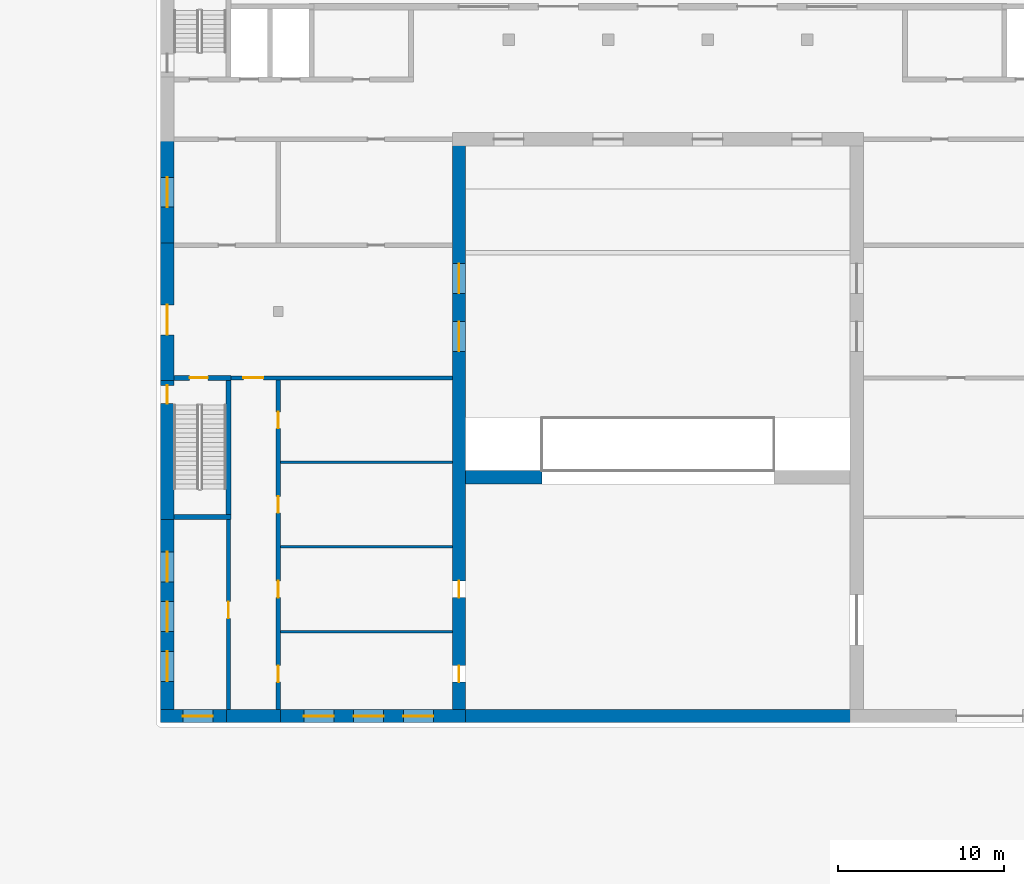
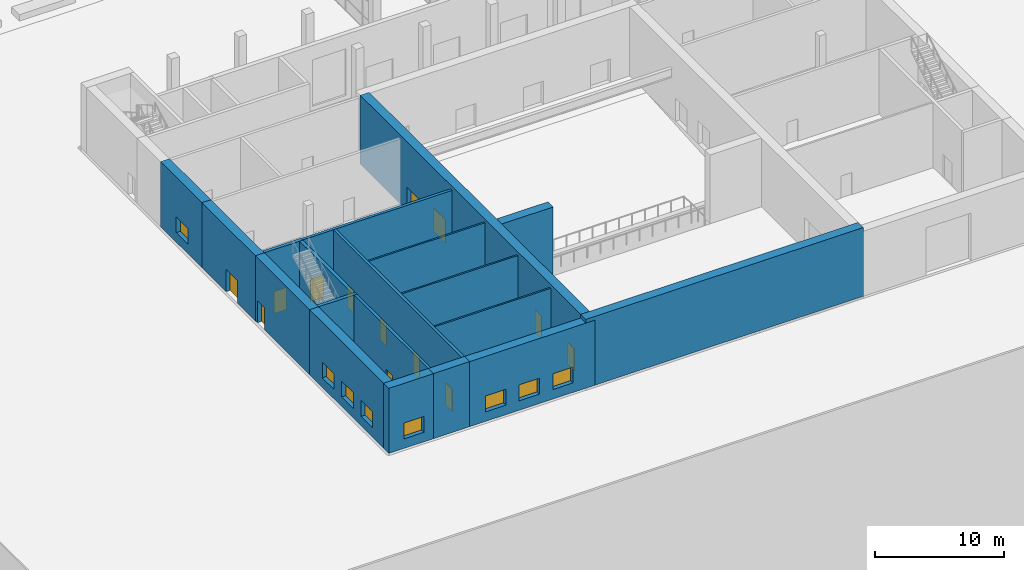
# One storey, part 29 of 51: 19 walls, 13 doors, 8 windows, 21 openings.
"""IFC4 building model written with IfcOpenShell, lengths in metres."""

from ifc_helpers import new_model, si_unit, direction, frame, frame_2d, origin, place, context, subcontext, project, spatial, rectangle, extrude, material, layer, layer_set, type_object, element, fill, save


model = new_model("IFC4")

# Units and contexts
model_context = context("Model", 3, precision=1e-05, world=origin(), true_north=direction((0.0, 1.0)))
body_context = subcontext(model_context, "Body", "Model", "MODEL_VIEW")
ifc_project = project(units=[si_unit("LENGTHUNIT", "METRE"), si_unit("AREAUNIT", "SQUARE_METRE"), si_unit("VOLUMEUNIT", "CUBIC_METRE"), si_unit("PLANEANGLEUNIT", "RADIAN"), si_unit("MASSUNIT", "GRAM", prefix="KILO")], contexts=[model_context])

# Site, building, storey
site_placement = place(None, origin())
site = spatial("IfcSite", under=ifc_project, at=site_placement, CompositionType="ELEMENT")
building_placement = place(site_placement, origin())
building = spatial("IfcBuilding", under=site, at=building_placement, Name="Kiln Ring Residences", CompositionType="ELEMENT")
storey_placement = place(building_placement, origin())
storey = spatial("IfcBuildingStorey", under=building, at=storey_placement, Name="L00", CompositionType="ELEMENT", Elevation=0.0)

# Walls
ifc_material_1 = material(Name="Concrete C40/50", Category="concrete")
ifc_layer_1 = layer(ifc_material_1, 0.800048828125)
ifc_layer_set_1 = layer_set([ifc_layer_1], Name="Hall Board-marked concrete C40/50 hall wall 800")
wall_type_1 = type_object("IfcWallType", Name="Hall Board-marked concrete C40/50 hall wall 800", PredefinedType="SOLIDWALL", material=ifc_layer_set_1)
wall_1_placement = place(storey_placement, frame((-12.39990234375, -159.60009765625, 0.0), z_axis=(0.0, 0.0, 1.0), x_axis=(1.0, 0.0, 0.0)))
element("IfcWall", 1, at=wall_1_placement, inside=storey, type_object=wall_type_1, Name="Hall wall L00 4", PredefinedType="SOLIDWALL", context=body_context, shape_type="SweptSolid", body=[
    extrude(rectangle(XDim=24.7998046875, YDim=0.800048828125, at=frame_2d((12.39990234375, 0.0))), origin(), (0.0, 0.0, 1.0), 6.5),
])
ifc_material_2 = material(Name="Concrete C40/50", Category="concrete")
ifc_layer_2 = layer(ifc_material_2, 0.800048828125)
ifc_layer_set_2 = layer_set([ifc_layer_2], Name="Hall Board-marked concrete C40/50 hall wall 800 internal")
wall_type_2 = type_object("IfcWallType", Name="Hall Board-marked concrete C40/50 hall wall 800 internal", PredefinedType="SOLIDWALL", material=ifc_layer_set_2)
wall_2_placement = place(storey_placement, frame((-11.60009765625, -145.199951171875, 0.0), z_axis=(0.0, 0.0, 1.0), x_axis=(1.0, 0.0, 0.0)))
element("IfcWall", 2, at=wall_2_placement, inside=storey, type_object=wall_type_2, Name="Hall proscenium pier L00 W", PredefinedType="SOLIDWALL", context=body_context, shape_type="SweptSolid", body=[
    extrude(rectangle(XDim=4.60009765625, YDim=0.800048828125, at=frame_2d((2.300048828125, 0.0))), origin(), (0.0, 0.0, 1.0), 6.5),
])

# Wall, openings, doors
wall_3_placement = place(storey_placement, frame((-12.0, -159.199951171875, 0.0), z_axis=(0.0, 0.0, 1.0), x_axis=(0.0, 1.0, 0.0)))
wall_3 = element("IfcWall", 3, at=wall_3_placement, inside=storey, type_object=wall_type_2, Name="Hall wall L00 44", PredefinedType="SOLIDWALL", context=body_context, shape_type="SweptSolid", body=[
    extrude(rectangle(XDim=34.125, YDim=0.800048828125, at=frame_2d((17.0625, 0.0))), origin(), (0.0, 0.0, 1.0), 6.5),
])
opening_1_placement = place(wall_3_placement, frame((21.60009765625, 0.0, 0.0)))
opening_1 = element("IfcOpeningElement", 4, at=opening_1_placement, cuts=wall_3, Name="Opening L00-29", PredefinedType="OPENING", context=body_context, shape_type="SweptSolid", body=[
    extrude(rectangle(XDim=1.800048828125, YDim=2.199951171875, at=frame_2d((0.89990234375, 1.10009765625))), frame((0.0, 0.409912109375, 0.0), z_axis=(0.0, -1.0, 0.0), x_axis=(1.0, 0.0, 0.0)), (0.0, 0.0, 1.0), 0.820068359375),
])
opening_2_placement = place(wall_3_placement, frame((25.10009765625, 0.0, 0.0)))
opening_2 = element("IfcOpeningElement", 5, at=opening_2_placement, cuts=wall_3, Name="Opening L00-30", PredefinedType="OPENING", context=body_context, shape_type="SweptSolid", body=[
    extrude(rectangle(XDim=1.800048828125, YDim=2.199951171875, at=frame_2d((0.89990234375, 1.10009765625))), frame((0.0, 0.409912109375, 0.0), z_axis=(0.0, -1.0, 0.0), x_axis=(1.0, 0.0, 0.0)), (0.0, 0.0, 1.0), 0.820068359375),
])
opening_3_placement = place(wall_3_placement, frame((6.75, 0.0, 0.0)))
opening_3 = element("IfcOpeningElement", 6, at=opening_3_placement, cuts=wall_3, Name="Opening L00-41", PredefinedType="OPENING", context=body_context, shape_type="SweptSolid", body=[
    extrude(rectangle(XDim=1.0, YDim=2.10009765625, at=frame_2d((0.5, 1.050048828125))), frame((0.0, 0.409912109375, 0.0), z_axis=(0.0, -1.0, 0.0), x_axis=(1.0, 0.0, 0.0)), (0.0, 0.0, 1.0), 0.820068359375),
])
opening_4_placement = place(wall_3_placement, frame((1.64990234375, 0.0, 0.0)))
opening_4 = element("IfcOpeningElement", 7, at=opening_4_placement, cuts=wall_3, Name="Opening L00-42", PredefinedType="OPENING", context=body_context, shape_type="SweptSolid", body=[
    extrude(rectangle(XDim=1.0, YDim=2.10009765625, at=frame_2d((0.5, 1.050048828125))), frame((0.0, 0.409912109375, 0.0), z_axis=(0.0, -1.0, 0.0), x_axis=(1.0, 0.0, 0.0)), (0.0, 0.0, 1.0), 0.820068359375),
])
ifc_material_3 = material(Name="Steel door leaf", Category="steel")
door_type_1 = type_object("IfcDoorType", Name="Hall Auditorium double door 1800 x 2200", OperationType="DOUBLE_DOOR_SINGLE_SWING", PredefinedType="DOOR", material=ifc_material_3)
door_1_placement = place(opening_1_placement, origin())
door_1 = element("IfcDoor", 8, at=door_1_placement, inside=storey, type_object=door_type_1, Name="Hall door L00-29", OperationType="DOUBLE_DOOR_SINGLE_SWING", OverallHeight=2.199951171875, OverallWidth=1.800048828125, PredefinedType="DOOR", context=body_context, shape_type="SweptSolid", body=[
    extrude(rectangle(XDim=1.800048828125, YDim=2.199951171875, at=frame_2d((0.89990234375, 1.10009765625))), frame((0.0, 0.02490234375, 0.0), z_axis=(0.0, -1.0, 0.0), x_axis=(1.0, 0.0, 0.0)), (0.0, 0.0, 1.0), 0.050048828125),
])
fill(opening_1, door_1)
door_2_placement = place(opening_2_placement, origin())
door_2 = element("IfcDoor", 9, at=door_2_placement, inside=storey, type_object=door_type_1, Name="Hall door L00-30", OperationType="DOUBLE_DOOR_SINGLE_SWING", OverallHeight=2.199951171875, OverallWidth=1.800048828125, PredefinedType="DOOR", context=body_context, shape_type="SweptSolid", body=[
    extrude(rectangle(XDim=1.800048828125, YDim=2.199951171875, at=frame_2d((0.89990234375, 1.10009765625))), frame((0.0, 0.02490234375, 0.0), z_axis=(0.0, -1.0, 0.0), x_axis=(1.0, 0.0, 0.0)), (0.0, 0.0, 1.0), 0.050048828125),
])
fill(opening_2, door_2)
ifc_material_4 = material(Name="Steel door leaf", Category="steel")
door_type_2 = type_object("IfcDoorType", Name="Hall Single door 1000 x 2100", OperationType="SINGLE_SWING_LEFT", PredefinedType="DOOR", material=ifc_material_4)
door_3_placement = place(opening_3_placement, origin())
door_3 = element("IfcDoor", 10, at=door_3_placement, inside=storey, type_object=door_type_2, Name="Hall door L00-41", OperationType="SINGLE_SWING_LEFT", OverallHeight=2.10009765625, OverallWidth=1.0, PredefinedType="DOOR", context=body_context, shape_type="SweptSolid", body=[
    extrude(rectangle(XDim=1.0, YDim=2.10009765625, at=frame_2d((0.5, 1.050048828125))), frame((0.0, 0.02490234375, 0.0), z_axis=(0.0, -1.0, 0.0), x_axis=(1.0, 0.0, 0.0)), (0.0, 0.0, 1.0), 0.050048828125),
])
fill(opening_3, door_3)
door_4_placement = place(opening_4_placement, origin())
door_4 = element("IfcDoor", 11, at=door_4_placement, inside=storey, type_object=door_type_2, Name="Hall door L00-42", OperationType="SINGLE_SWING_RIGHT", OverallHeight=2.10009765625, OverallWidth=1.0, PredefinedType="DOOR", context=body_context, shape_type="SweptSolid", body=[
    extrude(rectangle(XDim=1.0, YDim=2.10009765625, at=frame_2d((0.5, 1.050048828125))), frame((0.0, 0.02490234375, 0.0), z_axis=(0.0, -1.0, 0.0), x_axis=(1.0, 0.0, 0.0)), (0.0, 0.0, 1.0), 0.050048828125),
])
fill(opening_4, door_4)

# Wall, opening, window
ifc_material_5 = material(Name="Concrete C40/50", Category="concrete")
ifc_layer_3 = layer(ifc_material_5, 0.800048828125)
ifc_layer_set_3 = layer_set([ifc_layer_3], Name="Hall Exposed brick-faced reinforced concrete C40/50 wall 800")
wall_type_3 = type_object("IfcWallType", Name="Hall Exposed brick-faced reinforced concrete C40/50 wall 800", PredefinedType="SOLIDWALL", material=ifc_layer_set_3)
wall_4_placement = place(storey_placement, frame((-30.0, -159.60009765625, 0.0), z_axis=(0.0, 0.0, 1.0), x_axis=(1.0, 0.0, 0.0)))
wall_4 = element("IfcWall", 12, at=wall_4_placement, inside=storey, type_object=wall_type_3, Name="Hall wall L00 1", PredefinedType="SOLIDWALL", context=body_context, shape_type="SweptSolid", body=[
    extrude(rectangle(XDim=4.224853515625, YDim=0.800048828125, at=frame_2d((2.1123046875, 0.0))), origin(), (0.0, 0.0, 1.0), 6.14990234375),
])
opening_5_placement = place(wall_4_placement, frame((1.349853515625, 0.0, 0.89990234375)))
opening_5 = element("IfcOpeningElement", 13, at=opening_5_placement, cuts=wall_4, Name="Opening WL00-07", PredefinedType="OPENING", context=body_context, shape_type="SweptSolid", body=[
    extrude(rectangle(XDim=1.800048828125, YDim=1.5, at=frame_2d((0.89990234375, 0.75))), frame((0.0, 0.409912109375, 0.0), z_axis=(0.0, -1.0, 0.0), x_axis=(1.0, 0.0, 0.0)), (0.0, 0.0, 1.0), 0.820068359375),
])
ifc_material_6 = material(Name="Glazing in aluminium frame", Category="aluminium")
window_type = type_object("IfcWindowType", Name="Hall room window 1800 x 1500", PartitioningType="DOUBLE_PANEL_VERTICAL", PredefinedType="WINDOW", material=ifc_material_6)
window_1_placement = place(opening_5_placement, origin())
window_1 = element("IfcWindow", 14, at=window_1_placement, inside=storey, type_object=window_type, Name="Hall window L00-07", OverallHeight=1.5, OverallWidth=1.800048828125, PartitioningType="SINGLE_PANEL", PredefinedType="WINDOW", context=body_context, shape_type="SweptSolid", body=[
    extrude(rectangle(XDim=1.800048828125, YDim=1.5, at=frame_2d((0.89990234375, 0.75))), frame((0.0, 0.030029296875, 0.0), z_axis=(0.0, -1.0, 0.0), x_axis=(1.0, 0.0, 0.0)), (0.0, 0.0, 1.0), 0.06005859375),
])
fill(opening_5, window_1)

# Wall
wall_5_placement = place(storey_placement, frame((-26.02490234375, -159.60009765625, 0.0), z_axis=(0.0, 0.0, 1.0), x_axis=(1.0, 0.0, 0.0)))
element("IfcWall", 15, at=wall_5_placement, inside=storey, type_object=wall_type_3, Name="Hall wall L00 2", PredefinedType="SOLIDWALL", context=body_context, shape_type="SweptSolid", body=[
    extrude(rectangle(XDim=3.249755859375, YDim=0.800048828125, at=frame_2d((1.625, 0.0))), origin(), (0.0, 0.0, 1.0), 6.14990234375),
])

# Wall, openings, windows
wall_6_placement = place(storey_placement, frame((-23.02490234375, -159.60009765625, 0.0), z_axis=(0.0, 0.0, 1.0), x_axis=(1.0, 0.0, 0.0)))
wall_6 = element("IfcWall", 16, at=wall_6_placement, inside=storey, type_object=wall_type_3, Name="Hall wall L00 3", PredefinedType="SOLIDWALL", context=body_context, shape_type="SweptSolid", body=[
    extrude(rectangle(XDim=11.4248046875, YDim=0.800048828125, at=frame_2d((5.71240234375, 0.0))), origin(), (0.0, 0.0, 1.0), 6.14990234375),
])
opening_6_placement = place(wall_6_placement, frame((1.6748046875, 0.0, 0.89990234375)))
opening_6 = element("IfcOpeningElement", 17, at=opening_6_placement, cuts=wall_6, Name="Opening WL00-08", PredefinedType="OPENING", context=body_context, shape_type="SweptSolid", body=[
    extrude(rectangle(XDim=1.800048828125, YDim=1.5, at=frame_2d((0.89990234375, 0.75))), frame((0.0, 0.409912109375, 0.0), z_axis=(0.0, -1.0, 0.0), x_axis=(1.0, 0.0, 0.0)), (0.0, 0.0, 1.0), 0.820068359375),
])
opening_7_placement = place(wall_6_placement, frame((4.6748046875, 0.0, 0.89990234375)))
opening_7 = element("IfcOpeningElement", 18, at=opening_7_placement, cuts=wall_6, Name="Opening WL00-09", PredefinedType="OPENING", context=body_context, shape_type="SweptSolid", body=[
    extrude(rectangle(XDim=1.800048828125, YDim=1.5, at=frame_2d((0.89990234375, 0.75))), frame((0.0, 0.409912109375, 0.0), z_axis=(0.0, -1.0, 0.0), x_axis=(1.0, 0.0, 0.0)), (0.0, 0.0, 1.0), 0.820068359375),
])
opening_8_placement = place(wall_6_placement, frame((7.6748046875, 0.0, 0.89990234375)))
opening_8 = element("IfcOpeningElement", 19, at=opening_8_placement, cuts=wall_6, Name="Opening WL00-10", PredefinedType="OPENING", context=body_context, shape_type="SweptSolid", body=[
    extrude(rectangle(XDim=1.800048828125, YDim=1.5, at=frame_2d((0.89990234375, 0.75))), frame((0.0, 0.409912109375, 0.0), z_axis=(0.0, -1.0, 0.0), x_axis=(1.0, 0.0, 0.0)), (0.0, 0.0, 1.0), 0.820068359375),
])
window_2_placement = place(opening_6_placement, origin())
window_2 = element("IfcWindow", 20, at=window_2_placement, inside=storey, type_object=window_type, Name="Hall window L00-08", OverallHeight=1.5, OverallWidth=1.800048828125, PartitioningType="SINGLE_PANEL", PredefinedType="WINDOW", context=body_context, shape_type="SweptSolid", body=[
    extrude(rectangle(XDim=1.800048828125, YDim=1.5, at=frame_2d((0.89990234375, 0.75))), frame((0.0, 0.030029296875, 0.0), z_axis=(0.0, -1.0, 0.0), x_axis=(1.0, 0.0, 0.0)), (0.0, 0.0, 1.0), 0.06005859375),
])
fill(opening_6, window_2)
window_3_placement = place(opening_7_placement, origin())
window_3 = element("IfcWindow", 21, at=window_3_placement, inside=storey, type_object=window_type, Name="Hall window L00-09", OverallHeight=1.5, OverallWidth=1.800048828125, PartitioningType="SINGLE_PANEL", PredefinedType="WINDOW", context=body_context, shape_type="SweptSolid", body=[
    extrude(rectangle(XDim=1.800048828125, YDim=1.5, at=frame_2d((0.89990234375, 0.75))), frame((0.0, 0.030029296875, 0.0), z_axis=(0.0, -1.0, 0.0), x_axis=(1.0, 0.0, 0.0)), (0.0, 0.0, 1.0), 0.06005859375),
])
fill(opening_7, window_3)
window_4_placement = place(opening_8_placement, origin())
window_4 = element("IfcWindow", 22, at=window_4_placement, inside=storey, type_object=window_type, Name="Hall window L00-10", OverallHeight=1.5, OverallWidth=1.800048828125, PartitioningType="SINGLE_PANEL", PredefinedType="WINDOW", context=body_context, shape_type="SweptSolid", body=[
    extrude(rectangle(XDim=1.800048828125, YDim=1.5, at=frame_2d((0.89990234375, 0.75))), frame((0.0, 0.030029296875, 0.0), z_axis=(0.0, -1.0, 0.0), x_axis=(1.0, 0.0, 0.0)), (0.0, 0.0, 1.0), 0.06005859375),
])
fill(opening_8, window_4)

wall_7_placement = place(storey_placement, frame((-29.60009765625, -159.199951171875, 0.0), z_axis=(0.0, 0.0, 1.0), x_axis=(0.0, 1.0, 0.0)))
wall_7 = element("IfcWall", 23, at=wall_7_placement, inside=storey, type_object=wall_type_3, Name="Hall wall L00 30", PredefinedType="SOLIDWALL", context=body_context, shape_type="SweptSolid", body=[
    extrude(rectangle(XDim=11.749755859375, YDim=0.800048828125, at=frame_2d((5.875, 0.0))), origin(), (0.0, 0.0, 1.0), 6.14990234375),
])
opening_9_placement = place(wall_7_placement, frame((1.699951171875, 0.0, 0.89990234375)))
opening_9 = element("IfcOpeningElement", 24, at=opening_9_placement, cuts=wall_7, Name="Opening WL00-04", PredefinedType="OPENING", context=body_context, shape_type="SweptSolid", body=[
    extrude(rectangle(XDim=1.800048828125, YDim=1.5, at=frame_2d((0.89990234375, 0.75))), frame((0.0, 0.409912109375, 0.0), z_axis=(0.0, -1.0, 0.0), x_axis=(1.0, 0.0, 0.0)), (0.0, 0.0, 1.0), 0.820068359375),
])
opening_10_placement = place(wall_7_placement, frame((4.699951171875, 0.0, 0.89990234375)))
opening_10 = element("IfcOpeningElement", 25, at=opening_10_placement, cuts=wall_7, Name="Opening WL00-05", PredefinedType="OPENING", context=body_context, shape_type="SweptSolid", body=[
    extrude(rectangle(XDim=1.800048828125, YDim=1.5, at=frame_2d((0.89990234375, 0.75))), frame((0.0, 0.409912109375, 0.0), z_axis=(0.0, -1.0, 0.0), x_axis=(1.0, 0.0, 0.0)), (0.0, 0.0, 1.0), 0.820068359375),
])
opening_11_placement = place(wall_7_placement, frame((7.699951171875, 0.0, 0.89990234375)))
opening_11 = element("IfcOpeningElement", 26, at=opening_11_placement, cuts=wall_7, Name="Opening WL00-06", PredefinedType="OPENING", context=body_context, shape_type="SweptSolid", body=[
    extrude(rectangle(XDim=1.800048828125, YDim=1.5, at=frame_2d((0.89990234375, 0.75))), frame((0.0, 0.409912109375, 0.0), z_axis=(0.0, -1.0, 0.0), x_axis=(1.0, 0.0, 0.0)), (0.0, 0.0, 1.0), 0.820068359375),
])
window_5_placement = place(opening_9_placement, origin())
window_5 = element("IfcWindow", 27, at=window_5_placement, inside=storey, type_object=window_type, Name="Hall window L00-04", OverallHeight=1.5, OverallWidth=1.800048828125, PartitioningType="SINGLE_PANEL", PredefinedType="WINDOW", context=body_context, shape_type="SweptSolid", body=[
    extrude(rectangle(XDim=1.800048828125, YDim=1.5, at=frame_2d((0.89990234375, 0.75))), frame((0.0, 0.030029296875, 0.0), z_axis=(0.0, -1.0, 0.0), x_axis=(1.0, 0.0, 0.0)), (0.0, 0.0, 1.0), 0.06005859375),
])
fill(opening_9, window_5)
window_6_placement = place(opening_10_placement, origin())
window_6 = element("IfcWindow", 28, at=window_6_placement, inside=storey, type_object=window_type, Name="Hall window L00-05", OverallHeight=1.5, OverallWidth=1.800048828125, PartitioningType="SINGLE_PANEL", PredefinedType="WINDOW", context=body_context, shape_type="SweptSolid", body=[
    extrude(rectangle(XDim=1.800048828125, YDim=1.5, at=frame_2d((0.89990234375, 0.75))), frame((0.0, 0.030029296875, 0.0), z_axis=(0.0, -1.0, 0.0), x_axis=(1.0, 0.0, 0.0)), (0.0, 0.0, 1.0), 0.06005859375),
])
fill(opening_10, window_6)
window_7_placement = place(opening_11_placement, origin())
window_7 = element("IfcWindow", 29, at=window_7_placement, inside=storey, type_object=window_type, Name="Hall window L00-06", OverallHeight=1.5, OverallWidth=1.800048828125, PartitioningType="SINGLE_PANEL", PredefinedType="WINDOW", context=body_context, shape_type="SweptSolid", body=[
    extrude(rectangle(XDim=1.800048828125, YDim=1.5, at=frame_2d((0.89990234375, 0.75))), frame((0.0, 0.030029296875, 0.0), z_axis=(0.0, -1.0, 0.0), x_axis=(1.0, 0.0, 0.0)), (0.0, 0.0, 1.0), 0.06005859375),
])
fill(opening_11, window_7)

# Wall, opening, door
wall_8_placement = place(storey_placement, frame((-29.60009765625, -147.75, 0.0), z_axis=(0.0, 0.0, 1.0), x_axis=(0.0, 1.0, 0.0)))
wall_8 = element("IfcWall", 30, at=wall_8_placement, inside=storey, type_object=wall_type_3, Name="Hall wall L00 31", PredefinedType="SOLIDWALL", context=body_context, shape_type="SweptSolid", body=[
    extrude(rectangle(XDim=8.699951171875, YDim=0.800048828125, at=frame_2d((4.35009765625, 0.0))), origin(), (0.0, 0.0, 1.0), 6.14990234375),
])
opening_12_placement = place(wall_8_placement, frame((6.999755859375, 0.0, 0.0)))
opening_12 = element("IfcOpeningElement", 31, at=opening_12_placement, cuts=wall_8, Name="Opening L00-21", PredefinedType="OPENING", context=body_context, shape_type="SweptSolid", body=[
    extrude(rectangle(XDim=1.10009765625, YDim=2.10009765625, at=frame_2d((0.550048828125, 1.050048828125))), frame((0.0, 0.409912109375, 0.0), z_axis=(0.0, -1.0, 0.0), x_axis=(1.0, 0.0, 0.0)), (0.0, 0.0, 1.0), 0.820068359375),
])
ifc_material_7 = material(Name="Aluminium framed glazed door", Category="aluminium")
door_type_3 = type_object("IfcDoorType", Name="Hall Exit door 1100 x 2100", OperationType="SINGLE_SWING_LEFT", PredefinedType="DOOR", material=ifc_material_7)
door_5_placement = place(opening_12_placement, origin())
door_5 = element("IfcDoor", 32, at=door_5_placement, inside=storey, type_object=door_type_3, Name="Hall door L00-21", OperationType="SINGLE_SWING_LEFT", OverallHeight=2.10009765625, OverallWidth=1.10009765625, PredefinedType="DOOR", context=body_context, shape_type="SweptSolid", body=[
    extrude(rectangle(XDim=1.10009765625, YDim=2.10009765625, at=frame_2d((0.550048828125, 1.050048828125))), frame((0.0, 0.02490234375, 0.0), z_axis=(0.0, -1.0, 0.0), x_axis=(1.0, 0.0, 0.0)), (0.0, 0.0, 1.0), 0.050048828125),
])
fill(opening_12, door_5)

wall_9_placement = place(storey_placement, frame((-29.60009765625, -139.349853515625, 0.0), z_axis=(0.0, 0.0, 1.0), x_axis=(0.0, 1.0, 0.0)))
wall_9 = element("IfcWall", 33, at=wall_9_placement, inside=storey, type_object=wall_type_3, Name="Hall wall L00 32", PredefinedType="SOLIDWALL", context=body_context, shape_type="SweptSolid", body=[
    extrude(rectangle(XDim=8.274658203125, YDim=0.800048828125, at=frame_2d((4.13720703125, 0.0))), origin(), (0.0, 0.0, 1.0), 6.14990234375),
])
opening_13_placement = place(wall_9_placement, frame((2.75, 0.0, 0.0)))
opening_13 = element("IfcOpeningElement", 34, at=opening_13_placement, cuts=wall_9, Name="Opening L00-33", PredefinedType="OPENING", context=body_context, shape_type="SweptSolid", body=[
    extrude(rectangle(XDim=1.800048828125, YDim=2.10009765625, at=frame_2d((0.89990234375, 1.050048828125))), frame((0.0, 0.409912109375, 0.0), z_axis=(0.0, -1.0, 0.0), x_axis=(1.0, 0.0, 0.0)), (0.0, 0.0, 1.0), 0.820068359375),
])
ifc_material_8 = material(Name="Aluminium framed glazed door", Category="aluminium")
door_type_4 = type_object("IfcDoorType", Name="Hall Exit double door 1800 x 2100", OperationType="DOUBLE_DOOR_SINGLE_SWING", PredefinedType="DOOR", material=ifc_material_8)
door_6_placement = place(opening_13_placement, origin())
door_6 = element("IfcDoor", 35, at=door_6_placement, inside=storey, type_object=door_type_4, Name="Hall door L00-33", OperationType="DOUBLE_DOOR_SINGLE_SWING", OverallHeight=2.10009765625, OverallWidth=1.800048828125, PredefinedType="DOOR", context=body_context, shape_type="SweptSolid", body=[
    extrude(rectangle(XDim=1.800048828125, YDim=2.10009765625, at=frame_2d((0.89990234375, 1.050048828125))), frame((0.0, 0.02490234375, 0.0), z_axis=(0.0, -1.0, 0.0), x_axis=(1.0, 0.0, 0.0)), (0.0, 0.0, 1.0), 0.050048828125),
])
fill(opening_13, door_6)

# Wall, opening, window
wall_10_placement = place(storey_placement, frame((-29.60009765625, -131.324951171875, 0.0), z_axis=(0.0, 0.0, 1.0), x_axis=(0.0, 1.0, 0.0)))
wall_10 = element("IfcWall", 36, at=wall_10_placement, inside=storey, type_object=wall_type_3, Name="Hall wall L00 33", PredefinedType="SOLIDWALL", context=body_context, shape_type="SweptSolid", body=[
    extrude(rectangle(XDim=6.64990234375, YDim=0.800048828125, at=frame_2d((3.324951171875, 0.0))), origin(), (0.0, 0.0, 1.0), 6.14990234375),
])
opening_14_placement = place(wall_10_placement, frame((2.4248046875, 0.0, 0.89990234375)))
opening_14 = element("IfcOpeningElement", 37, at=opening_14_placement, cuts=wall_10, Name="Opening WL00-03", PredefinedType="OPENING", context=body_context, shape_type="SweptSolid", body=[
    extrude(rectangle(XDim=1.800048828125, YDim=1.5, at=frame_2d((0.89990234375, 0.75))), frame((0.0, 0.409912109375, 0.0), z_axis=(0.0, -1.0, 0.0), x_axis=(1.0, 0.0, 0.0)), (0.0, 0.0, 1.0), 0.820068359375),
])
window_8_placement = place(opening_14_placement, origin())
window_8 = element("IfcWindow", 38, at=window_8_placement, inside=storey, type_object=window_type, Name="Hall window L00-03", OverallHeight=1.5, OverallWidth=1.800048828125, PartitioningType="SINGLE_PANEL", PredefinedType="WINDOW", context=body_context, shape_type="SweptSolid", body=[
    extrude(rectangle(XDim=1.800048828125, YDim=1.5, at=frame_2d((0.89990234375, 0.75))), frame((0.0, 0.030029296875, 0.0), z_axis=(0.0, -1.0, 0.0), x_axis=(1.0, 0.0, 0.0)), (0.0, 0.0, 1.0), 0.06005859375),
])
fill(opening_14, window_8)

# Wall
ifc_material_9 = material(Name="Concrete C40/50", Category="concrete")
ifc_layer_4 = layer(ifc_material_9, 0.300048828125)
ifc_layer_set_4 = layer_set([ifc_layer_4], Name="Hall Reinforced concrete C40/50 core wall 300")
wall_type_4 = type_object("IfcWallType", Name="Hall Reinforced concrete C40/50 core wall 300", PredefinedType="SOLIDWALL", material=ifc_layer_set_4)
wall_11_placement = place(storey_placement, frame((-29.199951171875, -147.60009765625, 0.0), z_axis=(0.0, 0.0, 1.0), x_axis=(1.0, 0.0, 0.0)))
element("IfcWall", 39, at=wall_11_placement, inside=storey, type_object=wall_type_4, Name="Hall wall L00 9", PredefinedType="SOLIDWALL", context=body_context, shape_type="SweptSolid", body=[
    extrude(rectangle(XDim=3.449951171875, YDim=0.300048828125, at=frame_2d((1.72509765625, 0.0))), origin(), (0.0, 0.0, 1.0), 6.14990234375),
])

# Wall, opening, door
wall_12_placement = place(storey_placement, frame((-29.199951171875, -139.199951171875, 0.0), z_axis=(0.0, 0.0, 1.0), x_axis=(1.0, 0.0, 0.0)))
wall_12 = element("IfcWall", 40, at=wall_12_placement, inside=storey, type_object=wall_type_4, Name="Hall wall L00 14", PredefinedType="SOLIDWALL", context=body_context, shape_type="SweptSolid", body=[
    extrude(rectangle(XDim=3.449951171875, YDim=0.300048828125, at=frame_2d((1.72509765625, 0.0))), origin(), (0.0, 0.0, 1.0), 6.14990234375),
])
opening_15_placement = place(wall_12_placement, frame((0.949951171875, 0.0, 0.0)))
opening_15 = element("IfcOpeningElement", 41, at=opening_15_placement, cuts=wall_12, Name="Opening L00-08", PredefinedType="OPENING", context=body_context, shape_type="SweptSolid", body=[
    extrude(rectangle(XDim=1.10009765625, YDim=2.10009765625, at=frame_2d((0.550048828125, 1.050048828125))), frame((0.0, 0.159912109375, 0.0), z_axis=(0.0, -1.0, 0.0), x_axis=(1.0, 0.0, 0.0)), (0.0, 0.0, 1.0), 0.320068359375),
])
ifc_material_10 = material(Name="Steel door leaf", Category="steel")
door_type_5 = type_object("IfcDoorType", Name="Hall Stair door 1100 x 2100", OperationType="SINGLE_SWING_LEFT", PredefinedType="DOOR", material=ifc_material_10)
door_7_placement = place(opening_15_placement, origin())
door_7 = element("IfcDoor", 42, at=door_7_placement, inside=storey, type_object=door_type_5, Name="Hall door L00-08", OperationType="SINGLE_SWING_RIGHT", OverallHeight=2.10009765625, OverallWidth=1.10009765625, PredefinedType="DOOR", context=body_context, shape_type="SweptSolid", body=[
    extrude(rectangle(XDim=1.10009765625, YDim=2.10009765625, at=frame_2d((0.550048828125, 1.050048828125))), frame((0.0, 0.02490234375, 0.0), z_axis=(0.0, -1.0, 0.0), x_axis=(1.0, 0.0, 0.0)), (0.0, 0.0, 1.0), 0.050048828125),
])
fill(opening_15, door_7)

# Wall
wall_13_placement = place(storey_placement, frame((-25.89990234375, -147.449951171875, 0.0), z_axis=(0.0, 0.0, 1.0), x_axis=(0.0, 1.0, 0.0)))
element("IfcWall", 43, at=wall_13_placement, inside=storey, type_object=wall_type_4, Name="Hall wall L00 37", PredefinedType="SOLIDWALL", context=body_context, shape_type="SweptSolid", body=[
    extrude(rectangle(XDim=8.224853515625, YDim=0.300048828125, at=frame_2d((4.1123046875, 0.0))), origin(), (0.0, 0.0, 1.0), 6.14990234375),
])

# Wall, opening, door
ifc_material_11 = material(Name="Concrete C40/50", Category="concrete")
ifc_layer_5 = layer(ifc_material_11, 0.25)
ifc_layer_set_5 = layer_set([ifc_layer_5], Name="Hall Reinforced concrete C40/50 wall 250")
wall_type_5 = type_object("IfcWallType", Name="Hall Reinforced concrete C40/50 wall 250", PredefinedType="SOLIDWALL", material=ifc_layer_set_5)
wall_14_placement = place(storey_placement, frame((-25.75, -139.199951171875, 0.0), z_axis=(0.0, 0.0, 1.0), x_axis=(1.0, 0.0, 0.0)))
wall_14 = element("IfcWall", 44, at=wall_14_placement, inside=storey, type_object=wall_type_5, Name="Hall wall L00 15", PredefinedType="SOLIDWALL", context=body_context, shape_type="SweptSolid", body=[
    extrude(rectangle(XDim=13.35009765625, YDim=0.25, at=frame_2d((6.675048828125, 0.0))), origin(), (0.0, 0.0, 1.0), 6.14990234375),
])
opening_16_placement = place(wall_14_placement, frame((0.75, 0.0, 0.0)))
opening_16 = element("IfcOpeningElement", 45, at=opening_16_placement, cuts=wall_14, Name="Opening L00-35", PredefinedType="OPENING", context=body_context, shape_type="SweptSolid", body=[
    extrude(rectangle(XDim=1.199951171875, YDim=2.10009765625, at=frame_2d((0.60009765625, 1.050048828125))), frame((0.0, 0.135009765625, 0.0), z_axis=(0.0, -1.0, 0.0), x_axis=(1.0, 0.0, 0.0)), (0.0, 0.0, 1.0), 0.27001953125),
])
ifc_material_12 = material(Name="Steel door leaf", Category="steel")
door_type_6 = type_object("IfcDoorType", Name="Hall Single door 1200 x 2100", OperationType="SINGLE_SWING_LEFT", PredefinedType="DOOR", material=ifc_material_12)
door_8_placement = place(opening_16_placement, origin())
door_8 = element("IfcDoor", 46, at=door_8_placement, inside=storey, type_object=door_type_6, Name="Hall door L00-35", OperationType="SINGLE_SWING_LEFT", OverallHeight=2.10009765625, OverallWidth=1.199951171875, PredefinedType="DOOR", context=body_context, shape_type="SweptSolid", body=[
    extrude(rectangle(XDim=1.199951171875, YDim=2.10009765625, at=frame_2d((0.60009765625, 1.050048828125))), frame((0.0, 0.02490234375, 0.0), z_axis=(0.0, -1.0, 0.0), x_axis=(1.0, 0.0, 0.0)), (0.0, 0.0, 1.0), 0.050048828125),
])
fill(opening_16, door_8)

wall_15_placement = place(storey_placement, frame((-25.89990234375, -159.199951171875, 0.0), z_axis=(0.0, 0.0, 1.0), x_axis=(0.0, 1.0, 0.0)))
wall_15 = element("IfcWall", 47, at=wall_15_placement, inside=storey, type_object=wall_type_5, Name="Hall wall L00 36", PredefinedType="SOLIDWALL", context=body_context, shape_type="SweptSolid", body=[
    extrude(rectangle(XDim=11.449951171875, YDim=0.25, at=frame_2d((5.72509765625, 0.0))), origin(), (0.0, 0.0, 1.0), 6.14990234375),
])
opening_17_placement = place(wall_15_placement, frame((5.5, 0.0, 0.0)))
opening_17 = element("IfcOpeningElement", 48, at=opening_17_placement, cuts=wall_15, Name="Opening L00-40", PredefinedType="OPENING", context=body_context, shape_type="SweptSolid", body=[
    extrude(rectangle(XDim=1.0, YDim=2.10009765625, at=frame_2d((0.5, 1.050048828125))), frame((0.0, 0.135009765625, 0.0), z_axis=(0.0, -1.0, 0.0), x_axis=(1.0, 0.0, 0.0)), (0.0, 0.0, 1.0), 0.27001953125),
])
door_9_placement = place(opening_17_placement, origin())
door_9 = element("IfcDoor", 49, at=door_9_placement, inside=storey, type_object=door_type_2, Name="Hall door L00-40", OperationType="SINGLE_SWING_RIGHT", OverallHeight=2.10009765625, OverallWidth=1.0, PredefinedType="DOOR", context=body_context, shape_type="SweptSolid", body=[
    extrude(rectangle(XDim=1.0, YDim=2.10009765625, at=frame_2d((0.5, 1.050048828125))), frame((0.0, 0.02490234375, 0.0), z_axis=(0.0, -1.0, 0.0), x_axis=(1.0, 0.0, 0.0)), (0.0, 0.0, 1.0), 0.050048828125),
])
fill(opening_17, door_9)

# Wall, openings, doors
wall_16_placement = place(storey_placement, frame((-22.89990234375, -159.199951171875, 0.0), z_axis=(0.0, 0.0, 1.0), x_axis=(0.0, 1.0, 0.0)))
wall_16 = element("IfcWall", 50, at=wall_16_placement, inside=storey, type_object=wall_type_5, Name="Hall wall L00 40", PredefinedType="SOLIDWALL", context=body_context, shape_type="SweptSolid", body=[
    extrude(rectangle(XDim=19.875, YDim=0.25, at=frame_2d((9.9375, 0.0))), origin(), (0.0, 0.0, 1.0), 6.14990234375),
])
opening_18_placement = place(wall_16_placement, frame((16.949951171875, 0.0, 0.0)))
opening_18 = element("IfcOpeningElement", 51, at=opening_18_placement, cuts=wall_16, Name="Opening L00-36", PredefinedType="OPENING", context=body_context, shape_type="SweptSolid", body=[
    extrude(rectangle(XDim=1.0, YDim=2.10009765625, at=frame_2d((0.5, 1.050048828125))), frame((0.0, 0.135009765625, 0.0), z_axis=(0.0, -1.0, 0.0), x_axis=(1.0, 0.0, 0.0)), (0.0, 0.0, 1.0), 0.27001953125),
])
opening_19_placement = place(wall_16_placement, frame((11.85009765625, 0.0, 0.0)))
opening_19 = element("IfcOpeningElement", 52, at=opening_19_placement, cuts=wall_16, Name="Opening L00-37", PredefinedType="OPENING", context=body_context, shape_type="SweptSolid", body=[
    extrude(rectangle(XDim=1.0, YDim=2.10009765625, at=frame_2d((0.5, 1.050048828125))), frame((0.0, 0.135009765625, 0.0), z_axis=(0.0, -1.0, 0.0), x_axis=(1.0, 0.0, 0.0)), (0.0, 0.0, 1.0), 0.27001953125),
])
opening_20_placement = place(wall_16_placement, frame((6.75, 0.0, 0.0)))
opening_20 = element("IfcOpeningElement", 53, at=opening_20_placement, cuts=wall_16, Name="Opening L00-38", PredefinedType="OPENING", context=body_context, shape_type="SweptSolid", body=[
    extrude(rectangle(XDim=1.0, YDim=2.10009765625, at=frame_2d((0.5, 1.050048828125))), frame((0.0, 0.135009765625, 0.0), z_axis=(0.0, -1.0, 0.0), x_axis=(1.0, 0.0, 0.0)), (0.0, 0.0, 1.0), 0.27001953125),
])
opening_21_placement = place(wall_16_placement, frame((1.64990234375, 0.0, 0.0)))
opening_21 = element("IfcOpeningElement", 54, at=opening_21_placement, cuts=wall_16, Name="Opening L00-39", PredefinedType="OPENING", context=body_context, shape_type="SweptSolid", body=[
    extrude(rectangle(XDim=1.0, YDim=2.10009765625, at=frame_2d((0.5, 1.050048828125))), frame((0.0, 0.135009765625, 0.0), z_axis=(0.0, -1.0, 0.0), x_axis=(1.0, 0.0, 0.0)), (0.0, 0.0, 1.0), 0.27001953125),
])
door_10_placement = place(opening_18_placement, origin())
door_10 = element("IfcDoor", 55, at=door_10_placement, inside=storey, type_object=door_type_2, Name="Hall door L00-36", OperationType="SINGLE_SWING_RIGHT", OverallHeight=2.10009765625, OverallWidth=1.0, PredefinedType="DOOR", context=body_context, shape_type="SweptSolid", body=[
    extrude(rectangle(XDim=1.0, YDim=2.10009765625, at=frame_2d((0.5, 1.050048828125))), frame((0.0, 0.02490234375, 0.0), z_axis=(0.0, -1.0, 0.0), x_axis=(1.0, 0.0, 0.0)), (0.0, 0.0, 1.0), 0.050048828125),
])
fill(opening_18, door_10)
door_11_placement = place(opening_19_placement, origin())
door_11 = element("IfcDoor", 56, at=door_11_placement, inside=storey, type_object=door_type_2, Name="Hall door L00-37", OperationType="SINGLE_SWING_LEFT", OverallHeight=2.10009765625, OverallWidth=1.0, PredefinedType="DOOR", context=body_context, shape_type="SweptSolid", body=[
    extrude(rectangle(XDim=1.0, YDim=2.10009765625, at=frame_2d((0.5, 1.050048828125))), frame((0.0, 0.02490234375, 0.0), z_axis=(0.0, -1.0, 0.0), x_axis=(1.0, 0.0, 0.0)), (0.0, 0.0, 1.0), 0.050048828125),
])
fill(opening_19, door_11)
door_12_placement = place(opening_20_placement, origin())
door_12 = element("IfcDoor", 57, at=door_12_placement, inside=storey, type_object=door_type_2, Name="Hall door L00-38", OperationType="SINGLE_SWING_RIGHT", OverallHeight=2.10009765625, OverallWidth=1.0, PredefinedType="DOOR", context=body_context, shape_type="SweptSolid", body=[
    extrude(rectangle(XDim=1.0, YDim=2.10009765625, at=frame_2d((0.5, 1.050048828125))), frame((0.0, 0.02490234375, 0.0), z_axis=(0.0, -1.0, 0.0), x_axis=(1.0, 0.0, 0.0)), (0.0, 0.0, 1.0), 0.050048828125),
])
fill(opening_20, door_12)
door_13_placement = place(opening_21_placement, origin())
door_13 = element("IfcDoor", 58, at=door_13_placement, inside=storey, type_object=door_type_2, Name="Hall door L00-39", OperationType="SINGLE_SWING_LEFT", OverallHeight=2.10009765625, OverallWidth=1.0, PredefinedType="DOOR", context=body_context, shape_type="SweptSolid", body=[
    extrude(rectangle(XDim=1.0, YDim=2.10009765625, at=frame_2d((0.5, 1.050048828125))), frame((0.0, 0.02490234375, 0.0), z_axis=(0.0, -1.0, 0.0), x_axis=(1.0, 0.0, 0.0)), (0.0, 0.0, 1.0), 0.050048828125),
])
fill(opening_21, door_13)

# Walls
ifc_material_13 = material(Name="Masonry blockwork f'm 10 MPa", Category="masonry")
ifc_layer_6 = layer(ifc_material_13, 0.14990234375)
ifc_layer_set_6 = layer_set([ifc_layer_6], Name="Hall blockwork partition 150")
wall_type_6 = type_object("IfcWallType", Name="Hall blockwork partition 150", PredefinedType="PARTITIONING", material=ifc_layer_set_6)
for number, where, z_axis, x_axis, name in (
    (59, (-22.77490234375, -154.5, 0.0), (0.0, 0.0, 1.0), (1.0, 0.0, 0.0), "Hall wall L00 6"),
    (60, (-22.77490234375, -149.39990234375, 0.0), (0.0, 0.0, 1.0), (1.0, 0.0, 0.0), "Hall wall L00 8"),
    (61, (-22.77490234375, -144.300048828125, 0.0), (0.0, 0.0, 1.0), (1.0, 0.0, 0.0), "Hall wall L00 13"),
):
    element("IfcWall", number, at=place(storey_placement, frame(where, z_axis=z_axis, x_axis=x_axis)), inside=storey, type_object=wall_type_6, Name=name, PredefinedType="PARTITIONING", context=body_context, shape_type="SweptSolid", body=[
        extrude(rectangle(XDim=10.375, YDim=0.14990234375, at=frame_2d((5.1875, 0.0))), origin(), (0.0, 0.0, 1.0), 6.14990234375),
    ])

save(model, "model.ifc")
